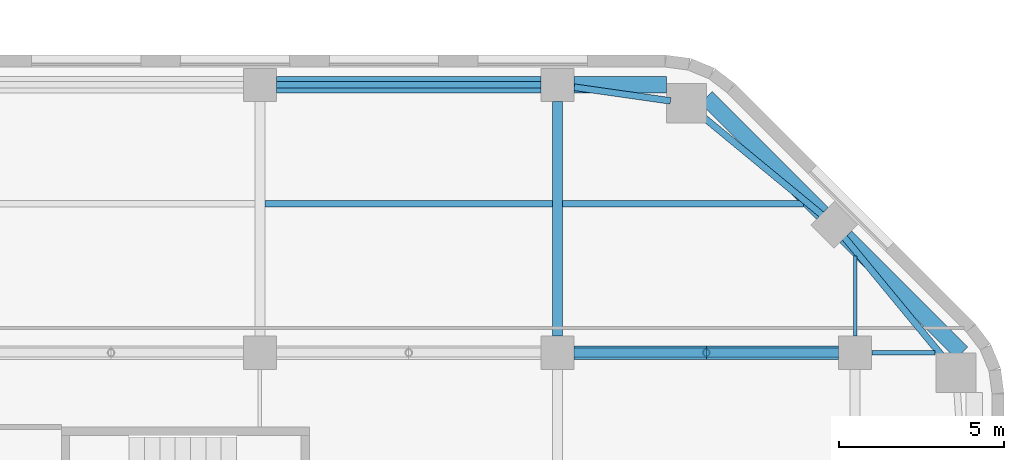
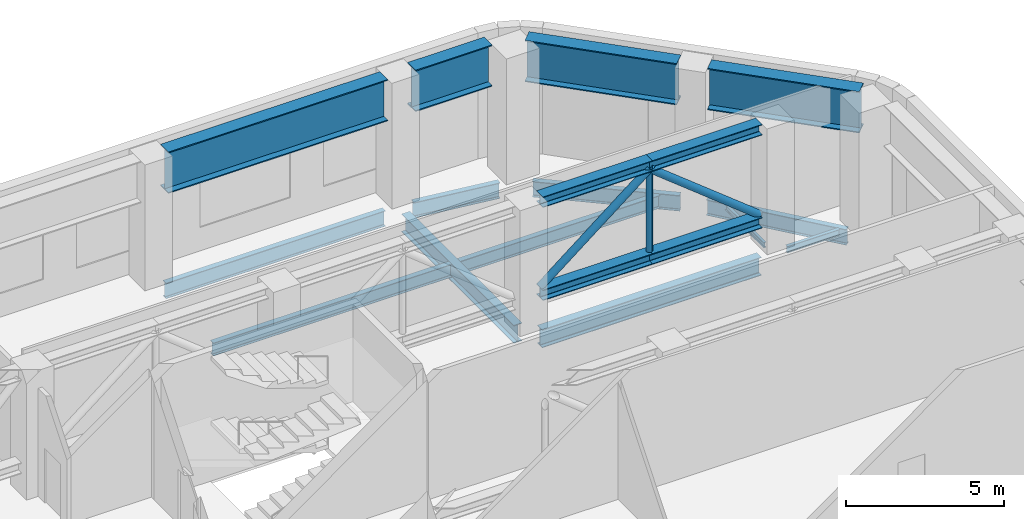
# One storey, part 10 of 23: 14 beams, 7 members.
"""IFC4 building model written with IfcOpenShell, lengths in metres."""

from ifc_helpers import new_model, si_unit, direction, frame, origin, origin_2d, place, context, subcontext, project, spatial, hollow_circle, i_section, extrude, material, material_profile, profile_set, type_object, element, save


model = new_model("IFC4")

# Units and contexts
model_context = context("Model", 3, precision=1e-05, world=origin(), true_north=direction((0.0, 1.0)))
body_context = subcontext(model_context, "Body", "Model", "MODEL_VIEW")
ifc_project = project(units=[si_unit("LENGTHUNIT", "METRE"), si_unit("AREAUNIT", "SQUARE_METRE"), si_unit("VOLUMEUNIT", "CUBIC_METRE"), si_unit("PLANEANGLEUNIT", "RADIAN"), si_unit("MASSUNIT", "GRAM", prefix="KILO")], contexts=[model_context])

# Site, building, storey
site_placement = place(None, origin())
site = spatial("IfcSite", under=ifc_project, at=site_placement, CompositionType="ELEMENT")
building_placement = place(site_placement, origin())
building = spatial("IfcBuilding", under=site, at=building_placement, Name="Cinnabar Reach Civic Tower", CompositionType="ELEMENT")
storey_placement = place(building_placement, frame((0.0, 0.0, 46.0)))
storey = spatial("IfcBuildingStorey", under=building, at=storey_placement, Name="L10", CompositionType="ELEMENT", Elevation=46.0)

# Beams
ifc_material = material(Name="Steel Q355B", Category="steel")
ifc_material_profile_1 = material_profile(ifc_material, i_section(OverallWidth=0.5, OverallDepth=1.6, WebThickness=0.025, FlangeThickness=0.04, at=origin_2d()), Name="BH1600x500x25x40")
ifc_profile_set_1 = profile_set([ifc_material_profile_1], Name="Steel Q355B")
beam_type_1 = type_object("IfcBeamType", Name="BELT BH1600x500x25x40 R 240", PredefinedType="BEAM", material=ifc_profile_set_1)
beam_1_placement = place(storey_placement, frame((36.502, 44.1, 4.05), z_axis=(1.0, 0.0, 0.0), x_axis=(0.0, 1.0, 0.0)))
element("IfcBeam", 1, at=beam_1_placement, inside=storey, type_object=beam_type_1, Name="BELT girder T1-L10-BG", PredefinedType="BEAM", context=body_context, shape_type="SweptSolid", body=[
    extrude(i_section(OverallWidth=0.5, OverallDepth=1.6, WebThickness=0.025, FlangeThickness=0.04, at=origin_2d()), origin(), (0.0, 0.0, 1.0), 7.996),
])
beam_2_placement = place(storey_placement, frame((45.502, 44.1, 4.05), z_axis=(1.0, 0.0, 0.0), x_axis=(0.0, 1.0, 0.0)))
element("IfcBeam", 2, at=beam_2_placement, inside=storey, type_object=beam_type_1, Name="BELT girder T1-L10-BG", PredefinedType="BEAM", context=body_context, shape_type="SweptSolid", body=[
    extrude(i_section(OverallWidth=0.5, OverallDepth=1.6, WebThickness=0.025, FlangeThickness=0.04, at=origin_2d()), origin(), (0.0, 0.0, 1.0), 2.7941),
])
for number, where, z_axis, x_axis, name in (
    (3, (49.5001, 43.7271, 4.05), (0.707106781187, -0.707106781187, 0.0), (0.707106781187, 0.707106781187, 0.0), "BELT girder T1-L10-BG"),
    (4, (53.7186, 39.5086, 4.05), (0.707106781187, -0.707106781187, 0.0), (0.707106781187, 0.707106781187, 0.0), "BELT girder T1-L10-BG"),
):
    element("IfcBeam", number, at=place(storey_placement, frame(where, z_axis=z_axis, x_axis=x_axis)), inside=storey, type_object=beam_type_1, Name=name, PredefinedType="BEAM", context=body_context, shape_type="SweptSolid", body=[
        extrude(i_section(OverallWidth=0.5, OverallDepth=1.6, WebThickness=0.025, FlangeThickness=0.04, at=origin_2d()), origin(), (0.0, 0.0, 1.0), 4.9618),
    ])

# Members
ifc_material_profile_2 = material_profile(ifc_material, hollow_circle(Radius=0.1095, WallThickness=0.008, at=origin_2d()), Name="CHS219x8")
ifc_profile_set_2 = profile_set([ifc_material_profile_2], Name="Steel Q355B")
member_type_1 = type_object("IfcMemberType", Name="CHS219x8 post R 240", PredefinedType="POST", material=ifc_profile_set_2)
member_placement = place(storey_placement, frame((49.5, 36.0, 1.264), z_axis=(0.0, 0.0, 1.0), x_axis=(1.0, 0.0, 0.0)))
element("IfcMember", 5, at=member_placement, inside=storey, type_object=member_type_1, Name="Outrigger truss post T1-L10-TR-E36", PredefinedType="POST", context=body_context, shape_type="SweptSolid", body=[
    extrude(hollow_circle(Radius=0.1095, WallThickness=0.008, at=origin_2d()), origin(), (0.0, 0.0, 1.0), 3.172),
])
ifc_material_profile_3 = material_profile(ifc_material, hollow_circle(Radius=0.1365, WallThickness=0.01, at=origin_2d()), Name="CHS273x10")
ifc_profile_set_3 = profile_set([ifc_material_profile_3], Name="Steel Q355B")
member_type_2 = type_object("IfcMemberType", Name="CHS273x10 brace R 240", PredefinedType="BRACE", material=ifc_profile_set_3)
for number, where, z_axis, x_axis, name in (
    (6, (45.502, 36.0, 1.264), (0.783385820747, 0.0, 0.621535723714), (0.0, 1.0, 0.0), "Outrigger truss diagonal T1-L10-TR-E36"),
    (7, (49.5, 36.0, 4.436), (0.783385820747, 0.0, -0.621535723714), (0.0, 1.0, 0.0), "Outrigger truss diagonal T1-L10-TR-E36"),
):
    element("IfcMember", number, at=place(storey_placement, frame(where, z_axis=z_axis, x_axis=x_axis)), inside=storey, type_object=member_type_2, Name=name, PredefinedType="BRACE", context=body_context, shape_type="SweptSolid", body=[
        extrude(hollow_circle(Radius=0.1365, WallThickness=0.01, at=origin_2d()), origin(), (0.0, 0.0, 1.0), 5.1035),
    ])

# Beams
ifc_material_profile_4 = material_profile(ifc_material, i_section(OverallWidth=0.099, OverallDepth=0.198, WebThickness=0.0045, FlangeThickness=0.007, FilletRadius=0.013, at=origin_2d()), Name="HN200x100x5.5x8")
ifc_profile_set_4 = profile_set([ifc_material_profile_4], Name="Steel Q355B")
beam_type_2 = type_object("IfcBeamType", Name="HN200x100x5.5x8 beam R 180", PredefinedType="BEAM", material=ifc_profile_set_4)
beam_3_placement = place(storey_placement, frame((54.0, 36.502, -0.399), z_axis=(0.0, 1.0, 0.0), x_axis=(-1.0, 0.0, 0.0)))
element("IfcBeam", 8, at=beam_3_placement, inside=storey, type_object=beam_type_2, Name="Girder T1 L10 27", PredefinedType="BEAM", context=body_context, shape_type="SweptSolid", body=[
    extrude(i_section(OverallWidth=0.099, OverallDepth=0.198, WebThickness=0.0045, FlangeThickness=0.007, FilletRadius=0.013, at=origin_2d()), origin(), (0.0, 0.0, 1.0), 2.4298),
])
ifc_material_profile_5 = material_profile(ifc_material, i_section(OverallWidth=0.124, OverallDepth=0.248, WebThickness=0.005, FlangeThickness=0.008, FilletRadius=0.013, at=origin_2d()), Name="HN250x125x6x9")
ifc_profile_set_5 = profile_set([ifc_material_profile_5], Name="Steel Q355B")
beam_type_3 = type_object("IfcBeamType", Name="HN250x125x6x9 beam R 180", PredefinedType="BEAM", material=ifc_profile_set_5)
beam_4_placement = place(storey_placement, frame((54.502, 36.0, -0.424), z_axis=(1.0, 0.0, 0.0), x_axis=(0.0, 1.0, 0.0)))
element("IfcBeam", 9, at=beam_4_placement, inside=storey, type_object=beam_type_3, Name="Girder T1 L10 24", PredefinedType="BEAM", context=body_context, shape_type="SweptSolid", body=[
    extrude(i_section(OverallWidth=0.124, OverallDepth=0.248, WebThickness=0.005, FlangeThickness=0.008, FilletRadius=0.013, at=origin_2d()), origin(), (0.0, 0.0, 1.0), 1.9162),
])
ifc_material_profile_6 = material_profile(ifc_material, i_section(OverallWidth=0.2, OverallDepth=0.5, WebThickness=0.01, FlangeThickness=0.016, FilletRadius=0.016, at=origin_2d()), Name="HN500x200x10x16")
ifc_profile_set_6 = profile_set([ifc_material_profile_6], Name="Steel Q355B")
beam_type_4 = type_object("IfcBeamType", Name="HN500x200x10x16 beam R 180", PredefinedType="BEAM", material=ifc_profile_set_6)
beam_5_placement = place(storey_placement, frame((36.152, 40.5, -0.55), z_axis=(1.0, 0.0, 0.0), x_axis=(0.0, 1.0, 0.0)))
element("IfcBeam", 10, at=beam_5_placement, inside=storey, type_object=beam_type_4, Name="Secondary beam T1 L10 27", PredefinedType="BEAM", context=body_context, shape_type="SweptSolid", body=[
    extrude(i_section(OverallWidth=0.2, OverallDepth=0.5, WebThickness=0.01, FlangeThickness=0.016, FilletRadius=0.016, at=origin_2d()), origin(), (0.0, 0.0, 1.0), 8.696),
])
beam_6_placement = place(storey_placement, frame((45.152, 40.5, -0.55), z_axis=(1.0, 0.0, 0.0), x_axis=(0.0, 1.0, 0.0)))
element("IfcBeam", 11, at=beam_6_placement, inside=storey, type_object=beam_type_4, Name="Secondary beam T1 L10 28", PredefinedType="BEAM", context=body_context, shape_type="SweptSolid", body=[
    extrude(i_section(OverallWidth=0.2, OverallDepth=0.5, WebThickness=0.01, FlangeThickness=0.016, FilletRadius=0.016, at=origin_2d()), origin(), (0.0, 0.0, 1.0), 7.2798),
])
ifc_material_profile_7 = material_profile(ifc_material, i_section(OverallWidth=0.2, OverallDepth=0.6, WebThickness=0.011, FlangeThickness=0.017, FilletRadius=0.016, at=origin_2d()), Name="HN600x200x11x17")
ifc_profile_set_7 = profile_set([ifc_material_profile_7], Name="Steel Q355B")
beam_type_5 = type_object("IfcBeamType", Name="HN600x200x11x17 beam R 180", PredefinedType="BEAM", material=ifc_profile_set_7)
for number, where, z_axis, x_axis, name in (
    (12, (56.6493, 35.8801, -0.6), (-0.6363041581, 0.77143827905, 0.0), (-0.77143827905, -0.6363041581, 0.0), "Edge beam T1 L10 12"),
    (13, (53.0211, 40.1461, -0.6), (-0.77143827905, 0.6363041581, 0.0), (-0.6363041581, -0.77143827905, 0.0), "Edge beam T1 L10 13"),
):
    element("IfcBeam", number, at=place(storey_placement, frame(where, z_axis=z_axis, x_axis=x_axis)), inside=storey, type_object=beam_type_5, Name=name, PredefinedType="BEAM", context=body_context, shape_type="SweptSolid", body=[
        extrude(i_section(OverallWidth=0.2, OverallDepth=0.6, WebThickness=0.011, FlangeThickness=0.017, FilletRadius=0.016, at=origin_2d()), origin(), (0.0, 0.0, 1.0), 4.7198),
    ])
beam_7_placement = place(storey_placement, frame((48.4161, 43.6153, -0.6), z_axis=(-0.990082238922, 0.140489003738, 0.0), x_axis=(-0.140489003738, -0.990082238922, 0.0)))
element("IfcBeam", 14, at=beam_7_placement, inside=storey, type_object=beam_type_5, Name="Edge beam T1 L10 14", PredefinedType="BEAM", context=body_context, shape_type="SweptSolid", body=[
    extrude(i_section(OverallWidth=0.2, OverallDepth=0.6, WebThickness=0.011, FlangeThickness=0.017, FilletRadius=0.016, at=origin_2d()), origin(), (0.0, 0.0, 1.0), 2.9433),
])
beam_8_placement = place(storey_placement, frame((44.498, 44.1, -0.6), z_axis=(-1.0, 0.0, 0.0), x_axis=(0.0, -1.0, 0.0)))
element("IfcBeam", 15, at=beam_8_placement, inside=storey, type_object=beam_type_5, Name="Edge beam T1 L10 15", PredefinedType="BEAM", context=body_context, shape_type="SweptSolid", body=[
    extrude(i_section(OverallWidth=0.2, OverallDepth=0.6, WebThickness=0.011, FlangeThickness=0.017, FilletRadius=0.016, at=origin_2d()), origin(), (0.0, 0.0, 1.0), 7.996),
])
ifc_material_profile_8 = material_profile(ifc_material, i_section(OverallWidth=0.3, OverallDepth=0.692, WebThickness=0.013, FlangeThickness=0.02, FilletRadius=0.016, at=origin_2d()), Name="HN692x300x13x20")
ifc_profile_set_8 = profile_set([ifc_material_profile_8], Name="Steel Q355B")
beam_type_6 = type_object("IfcBeamType", Name="HN692x300x13x20 beam R 180", PredefinedType="BEAM", material=ifc_profile_set_8)
beam_9_placement = place(storey_placement, frame((45.0, 36.502, -0.646), z_axis=(0.0, 1.0, 0.0), x_axis=(-1.0, 0.0, 0.0)))
element("IfcBeam", 16, at=beam_9_placement, inside=storey, type_object=beam_type_6, Name="Girder T1 L10 22", PredefinedType="BEAM", context=body_context, shape_type="SweptSolid", body=[
    extrude(i_section(OverallWidth=0.3, OverallDepth=0.692, WebThickness=0.013, FlangeThickness=0.02, FilletRadius=0.016, at=origin_2d()), origin(), (0.0, 0.0, 1.0), 7.096),
])
ifc_material_profile_9 = material_profile(ifc_material, i_section(OverallWidth=0.3, OverallDepth=0.7, WebThickness=0.013, FlangeThickness=0.024, FilletRadius=0.02, at=origin_2d()), Name="HN700x300x13x24")
ifc_profile_set_9 = profile_set([ifc_material_profile_9], Name="Steel Q355B")
beam_type_7 = type_object("IfcBeamType", Name="HN700x300x13x24 beam R 180", PredefinedType="BEAM", material=ifc_profile_set_9)
beam_10_placement = place(storey_placement, frame((45.502, 36.0, -0.65), z_axis=(1.0, 0.0, 0.0), x_axis=(0.0, 1.0, 0.0)))
element("IfcBeam", 17, at=beam_10_placement, inside=storey, type_object=beam_type_7, Name="Girder T1 L10 23", PredefinedType="BEAM", context=body_context, shape_type="SweptSolid", body=[
    extrude(i_section(OverallWidth=0.3, OverallDepth=0.7, WebThickness=0.013, FlangeThickness=0.024, FilletRadius=0.02, at=origin_2d()), origin(), (0.0, 0.0, 1.0), 7.996),
])

# Members
ifc_material_profile_10 = material_profile(ifc_material, i_section(OverallWidth=0.405, OverallDepth=0.414, WebThickness=0.018, FlangeThickness=0.028, FilletRadius=0.016, at=origin_2d()), Name="HW414x405x18x28")
ifc_profile_set_10 = profile_set([ifc_material_profile_10], Name="Steel Q355B")
member_type_3 = type_object("IfcMemberType", Name="HW414x405x18x28 chord R 240", PredefinedType="CHORD", material=ifc_profile_set_10)
for number, where, z_axis, x_axis, name in (
    (18, (45.502, 36.0, 4.643), (1.0, 0.0, 0.0), (0.0, 1.0, 0.0), "Outrigger truss chord T1-L10-TR-E36"),
    (19, (49.5, 36.0, 4.643), (1.0, 0.0, 0.0), (0.0, 1.0, 0.0), "Outrigger truss chord T1-L10-TR-E36"),
    (20, (45.502, 36.0, 1.057), (1.0, 0.0, 0.0), (0.0, 1.0, 0.0), "Outrigger truss chord T1-L10-TR-E36"),
    (21, (49.5, 36.0, 1.057), (1.0, 0.0, 0.0), (0.0, 1.0, 0.0), "Outrigger truss chord T1-L10-TR-E36"),
):
    element("IfcMember", number, at=place(storey_placement, frame(where, z_axis=z_axis, x_axis=x_axis)), inside=storey, type_object=member_type_3, Name=name, PredefinedType="CHORD", context=body_context, shape_type="SweptSolid", body=[
        extrude(i_section(OverallWidth=0.405, OverallDepth=0.414, WebThickness=0.018, FlangeThickness=0.028, FilletRadius=0.016, at=origin_2d()), origin(), (0.0, 0.0, 1.0), 3.998),
    ])

save(model, "model.ifc")
